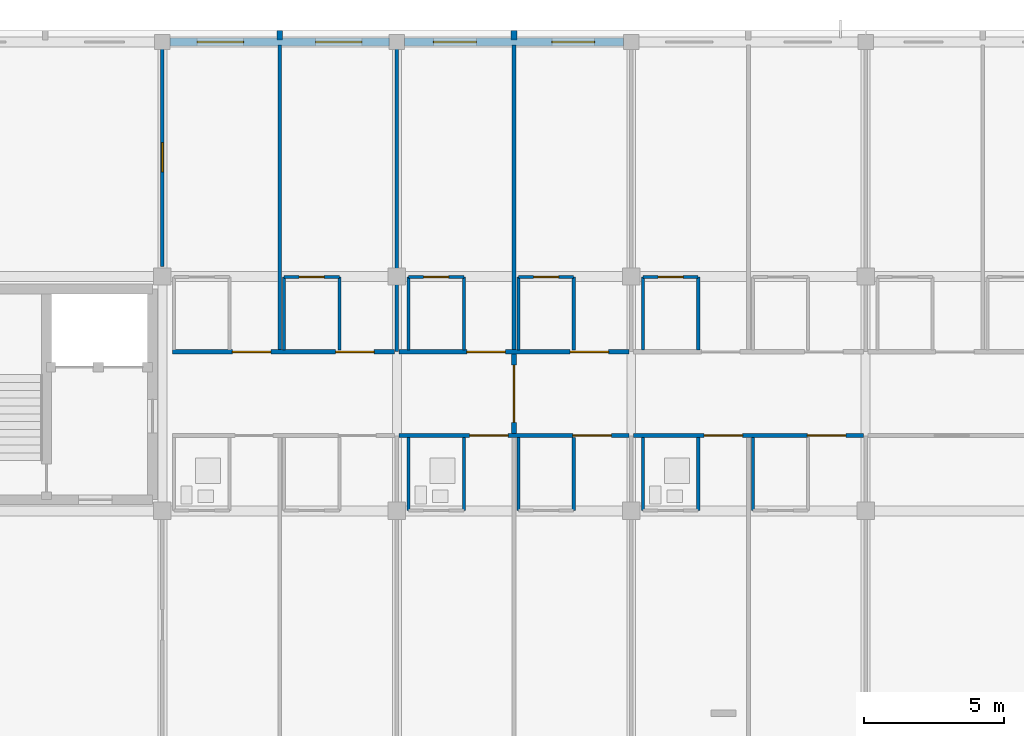
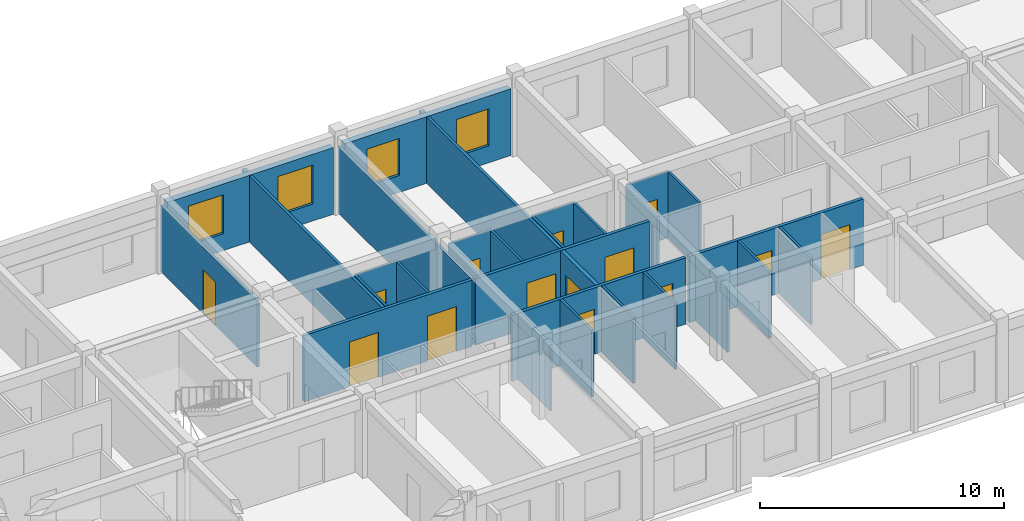
# One storey, part 9 of 21: 32 walls, 14 doors, 4 windows, 18 openings.
"""IFC4 building model written with IfcOpenShell, lengths in metres."""

import ifcopenshell
import ifcopenshell.guid

model = None  # the IFC model being written
_history = None  # IfcOwnerHistory: only IFC2X3 demands one
_inside = {}  # id of a spatial element -> (the spatial element, [elements in it])
_under = {}  # id of a project, library or spatial element -> (it, [spatial elements below it])
_declared = {}  # id of a project -> (the project, [libraries it declares])
_typed = {}  # id of a type object -> (the type object, [elements of that type])
_made_of = {}  # id of a material, layer set ... -> (it, [elements and type objects made of it])


def new_model(schema):
    """Start an empty IFC model of exactly this schema.

    Asked for "IFC4X3", IfcOpenShell would pick the latest addendum, in which some entities
    have other attributes; the version numbers below select the first issue.
    IFC2X3 requires an IfcOwnerHistory on every rooted entity: one is made here for all.
    """
    global model, _history
    if schema == "IFC4X3":
        model = ifcopenshell.file(schema_version=(4, 3, 0, 0))
    else:
        model = ifcopenshell.file(schema=schema)
    _inside.clear()
    _under.clear()
    _declared.clear()
    _typed.clear()
    _made_of.clear()
    _history = None
    if model.schema == "IFC2X3":
        org = make("IfcOrganization", Name="unknown")
        user = make(
            "IfcPersonAndOrganization",
            ThePerson=make("IfcPerson", FamilyName="unknown"),
            TheOrganization=org,
        )
        app = make(
            "IfcApplication",
            ApplicationDeveloper=org,
            Version="unknown",
            ApplicationFullName="unknown",
            ApplicationIdentifier="unknown",
        )
        _history = make(
            "IfcOwnerHistory",
            OwningUser=user,
            OwningApplication=app,
            ChangeAction="ADDED",
            CreationDate=0,
        )
    return model


def make(cls, **values):
    """One entity of the class cls with the attributes given. An attribute that is None is left unset."""
    return model.create_entity(
        cls, **{name: value for name, value in values.items() if value is not None}
    )


def rooted(cls, **values):
    """An entity with a GlobalId (a new one), such as an element, a storey or a relation."""
    return make(cls, GlobalId=ifcopenshell.guid.new(), OwnerHistory=_history, **values)


def si_unit(unit_type, name, prefix=None):
    """IfcSIUnit, for example si_unit("LENGTHUNIT", "METRE", prefix="MILLI")."""
    return make("IfcSIUnit", UnitType=unit_type, Prefix=prefix, Name=name)


def assignment(units):
    """IfcUnitAssignment: the units of a project."""
    return None if units is None else make("IfcUnitAssignment", Units=units)


def point(xyz):
    """IfcCartesianPoint."""
    return None if xyz is None else make("IfcCartesianPoint", Coordinates=xyz)


def direction(xyz):
    """IfcDirection."""
    return None if xyz is None else make("IfcDirection", DirectionRatios=xyz)


def frame(location, z_axis=None, x_axis=None):
    """IfcAxis2Placement3D, a coordinate frame: its origin and axes. An axis left out is left unset."""
    return make(
        "IfcAxis2Placement3D",
        Location=point(location),
        Axis=direction(z_axis),
        RefDirection=direction(x_axis),
    )


def frame_2d(location, x_axis=None):
    """IfcAxis2Placement2D, a coordinate frame in the plane: its origin and x axis."""
    return make(
        "IfcAxis2Placement2D", Location=point(location), RefDirection=direction(x_axis)
    )


def origin():
    """The frame at (0, 0, 0) with its axes left unset."""
    return frame((0.0, 0.0, 0.0))


def place(relative_to, where):
    """IfcLocalPlacement: puts the frame where relative to a parent placement (None: the world)."""
    return make(
        "IfcLocalPlacement", PlacementRelTo=relative_to, RelativePlacement=where
    )


def context(
    kind, dimensions, precision=None, world=None, true_north=None, identifier=None
):
    """IfcGeometricRepresentationContext, for example the 3D "Model" context."""
    return make(
        "IfcGeometricRepresentationContext",
        ContextIdentifier=identifier,
        ContextType=kind,
        CoordinateSpaceDimension=dimensions,
        Precision=precision,
        WorldCoordinateSystem=world,
        TrueNorth=true_north,
    )


def subcontext(parent, identifier, kind, view, scale=None):
    """IfcGeometricRepresentationSubContext, for example "Body" below "Model"."""
    return make(
        "IfcGeometricRepresentationSubContext",
        ContextIdentifier=identifier,
        ContextType=kind,
        ParentContext=parent,
        TargetScale=scale,
        TargetView=view,
    )


def project(units=None, contexts=None):
    """IfcProject with its units and contexts."""
    return rooted(
        "IfcProject",
        Name="project",
        RepresentationContexts=contexts,
        UnitsInContext=assignment(units),
    )


def spatial(cls, under=None, at=None, **own):
    """A site, building, storey or space (cls), placed at a placement, below another one or the project."""
    s = rooted(cls, ObjectPlacement=at, **own)
    if under is not None:
        _under.setdefault(under.id(), (under, []))[1].append(s)
    return s


def profile(cls, at=None, kind="AREA", **sizes):
    """A parametric profile (cls). Its sizes go by their IFC names, for example OverallWidth=200.0."""
    return make(cls, ProfileType=kind, Position=at, **sizes)


def rectangle(**sizes):
    """IfcRectangleProfileDef."""
    return profile("IfcRectangleProfileDef", **sizes)


def extrude(swept, where, along, depth):
    """IfcExtrudedAreaSolid: the profile swept, set in the frame where, extruded along a direction by depth."""
    return make(
        "IfcExtrudedAreaSolid",
        SweptArea=swept,
        Position=where,
        ExtrudedDirection=direction(along),
        Depth=depth,
    )


def shape(context_of_items, identifier, shape_type, items):
    """IfcShapeRepresentation: the items that make up one representation, for example the "Body"."""
    return make(
        "IfcShapeRepresentation",
        ContextOfItems=context_of_items,
        RepresentationIdentifier=identifier,
        RepresentationType=shape_type,
        Items=items,
    )


def material(Name=None, Category=None):
    """IfcMaterial."""
    return make("IfcMaterial", Name=Name, Category=Category)


def layer(
    of_material, thickness, ventilated=None, Name=None, Category=None, Priority=None
):
    """IfcMaterialLayer: one layer of a wall or slab, of a material (None: an air gap)."""
    return make(
        "IfcMaterialLayer",
        Material=of_material,
        LayerThickness=thickness,
        IsVentilated=ventilated,
        Name=Name,
        Category=Category,
        Priority=Priority,
    )


def layer_set(layers, Name=None):
    """IfcMaterialLayerSet."""
    return make("IfcMaterialLayerSet", MaterialLayers=layers, LayerSetName=Name)


def made_of(thing, what):
    """Note that an element or type object is made of a material, layer set ...; save() writes the relation."""
    if what is not None:
        _made_of.setdefault(what.id(), (what, []))[1].append(thing)
    return thing


def type_object(cls, material=None, **own):
    """A type object (cls), such as IfcWallType, which elements share."""
    return made_of(rooted(cls, **own), material)


def element(
    cls,
    number,
    at=None,
    inside=None,
    cuts=None,
    type_object=None,
    material=None,
    context=None,
    identifier="Body",
    shape_type=None,
    held_by="IfcProductDefinitionShape",
    body=None,
    shapes=None,
    **own,
):
    """One element of the class cls, such as IfcWall. Its Tag is "e" and its number.

    at: its placement. inside: the storey or other place that contains it. cuts: it is an
    opening in that element (IfcRelVoidsElement). A single representation is given by context,
    identifier, shape_type and body (its items); several are given by shapes. held_by: the class
    of the entity that holds the representations. save() writes the other relations.
    """
    e = rooted(cls, Tag="e%d" % number, ObjectPlacement=at, **own)
    if body is not None:
        shapes = [shape(context, identifier, shape_type, body)]
    if shapes is not None:
        e.Representation = make(held_by, Representations=shapes)
    if inside is not None:
        _inside.setdefault(inside.id(), (inside, []))[1].append(e)
    if cuts is not None:
        rooted(
            "IfcRelVoidsElement", RelatingBuildingElement=cuts, RelatedOpeningElement=e
        )
    if type_object is not None:
        _typed.setdefault(type_object.id(), (type_object, []))[1].append(e)
    return made_of(e, material)


def fill(opening, filler):
    """IfcRelFillsElement: the door or window that sits in an opening."""
    return rooted(
        "IfcRelFillsElement",
        RelatingOpeningElement=opening,
        RelatedBuildingElement=filler,
    )


def aggregate(whole, parts):
    """IfcRelAggregates: a whole, such as a stair, and the parts it consists of."""
    return rooted("IfcRelAggregates", RelatingObject=whole, RelatedObjects=parts)


def save(model, path):
    """Write the relations noted so far, then the file.

    IfcRelAggregates (storeys below a building ...), IfcRelContainedInSpatialStructure (elements
    in a storey), IfcRelDefinesByType, IfcRelAssociatesMaterial and IfcRelDeclares: one each for
    every whole, place, type object, material and project.
    """
    for whole, parts in _under.values():
        aggregate(whole, parts)
    for where, things in _inside.values():
        rooted(
            "IfcRelContainedInSpatialStructure",
            RelatedElements=things,
            RelatingStructure=where,
        )
    for kind, things in _typed.values():
        rooted("IfcRelDefinesByType", RelatedObjects=things, RelatingType=kind)
    for what, things in _made_of.values():
        rooted("IfcRelAssociatesMaterial", RelatedObjects=things, RelatingMaterial=what)
    for by, libraries in _declared.values():
        rooted("IfcRelDeclares", RelatingContext=by, RelatedDefinitions=libraries)
    model.write(path)


model = new_model("IFC4")

# Units and contexts
model_context = context("Model", 3, precision=1e-05, world=origin(), true_north=direction((0.0, 1.0)))
body_context = subcontext(model_context, "Body", "Model", "MODEL_VIEW")
ifc_project = project(units=[si_unit("LENGTHUNIT", "METRE"), si_unit("AREAUNIT", "SQUARE_METRE"), si_unit("VOLUMEUNIT", "CUBIC_METRE"), si_unit("PLANEANGLEUNIT", "RADIAN"), si_unit("MASSUNIT", "GRAM", prefix="KILO")], contexts=[model_context])

# Site, building, storey
site_placement = place(None, origin())
site = spatial("IfcSite", under=ifc_project, at=site_placement, CompositionType="ELEMENT")
building_placement = place(site_placement, origin())
building = spatial("IfcBuilding", under=site, at=building_placement, Name="Trelvath General Hospital", CompositionType="ELEMENT")
storey_placement = place(building_placement, frame((0.0, 0.0, 28.800048828125)))
storey = spatial("IfcBuildingStorey", under=building, at=storey_placement, Name="L07", CompositionType="ELEMENT", Elevation=28.800048828125)

# Walls
ifc_material_1 = material(Name="Precast concrete C40/50", Category="concrete")
ifc_layer_1 = layer(ifc_material_1, 0.199951171875)
ifc_layer_set_1 = layer_set([ifc_layer_1], Name="Precast concrete C40/50")
wall_type_1 = type_object("IfcWallType", Name="BriseSoleilRib 200", PredefinedType="ELEMENTEDWALL", material=ifc_layer_set_1)
for number, where, z_axis, x_axis, name in (
    (1, (54.60009765625, 117.675048828125, 0.0), (0.0, 0.0, 1.0), (0.0, 1.0, 0.0), "Precast Concrete Brise-Soleil Rib Fin L07-467"),
    (2, (63.0, 117.675048828125, 0.0), (0.0, 0.0, 1.0), (0.0, 1.0, 0.0), "Precast Concrete Brise-Soleil Rib Fin L07-469"),
):
    element("IfcWall", number, at=place(storey_placement, frame(where, z_axis=z_axis, x_axis=x_axis)), inside=storey, type_object=wall_type_1, Name=name, PredefinedType="ELEMENTEDWALL", context=body_context, shape_type="SweptSolid", body=[
        extrude(rectangle(XDim=0.33984375, YDim=0.199951171875, at=frame_2d((0.169921875, 0.0))), origin(), (0.0, 0.0, 1.0), 3.320068359375),
    ])

# Wall, openings, doors
ifc_material_2 = material(Name="Gypsum acoustic steel-stud partition", Category="steel")
ifc_layer_2 = layer(ifc_material_2, 0.14990234375)
ifc_layer_set_2 = layer_set([ifc_layer_2], Name="Gypsum acoustic steel-stud partition")
wall_type_2 = type_object("IfcWallType", Name="ClinicalPartition 150", PredefinedType="PARTITIONING", material=ifc_layer_set_2)
wall_1_placement = place(storey_placement, frame((58.719970703125, 106.5, 0.0), z_axis=(0.0, 0.0, 1.0), x_axis=(-1.0, 0.0, 0.0)))
wall_1 = element("IfcWall", 3, at=wall_1_placement, inside=storey, type_object=wall_type_2, Name="Corridor Partition N L07-2346", PredefinedType="PARTITIONING", context=body_context, shape_type="SweptSolid", body=[
    extrude(rectangle(XDim=7.9599609375, YDim=0.14990234375, at=frame_2d((3.97998046875, 0.0))), origin(), (0.0, 0.0, 1.0), 3.320068359375),
])
opening_1_placement = place(wall_1_placement, frame((0.72998046875, 0.0, 0.0)))
opening_1 = element("IfcOpeningElement", 4, at=opening_1_placement, cuts=wall_1, Name="Opening D-7-1469", PredefinedType="OPENING", context=body_context, shape_type="SweptSolid", body=[
    extrude(rectangle(XDim=1.3798828125, YDim=2.25, at=frame_2d((0.68994140625, 1.125))), frame((0.0, 0.0849609375, 0.0), z_axis=(0.0, -1.0, 0.0), x_axis=(1.0, 0.0, 0.0)), (0.0, 0.0, 1.0), 0.169921875),
])
opening_2_placement = place(wall_1_placement, frame((4.429931640625, 0.0, 0.0)))
opening_2 = element("IfcOpeningElement", 5, at=opening_2_placement, cuts=wall_1, Name="Opening D-7-1470", PredefinedType="OPENING", context=body_context, shape_type="SweptSolid", body=[
    extrude(rectangle(XDim=1.3798828125, YDim=2.25, at=frame_2d((0.68994140625, 1.125))), frame((0.0, 0.0849609375, 0.0), z_axis=(0.0, -1.0, 0.0), x_axis=(1.0, 0.0, 0.0)), (0.0, 0.0, 1.0), 0.169921875),
])
ifc_material_3 = material(Name="Wheelchair rehab ward door")
door_type_1 = type_object("IfcDoorType", Name="Door PatientRehab 1380x2250", OperationType="NOTDEFINED", PredefinedType="DOOR", material=ifc_material_3)
door_1_placement = place(opening_1_placement, origin())
door_1 = element("IfcDoor", 6, at=door_1_placement, inside=storey, type_object=door_type_1, Name="Patient Room Door N L07-1469", OperationType="SINGLE_SWING_RIGHT", OverallHeight=2.25, OverallWidth=1.3798828125, PredefinedType="DOOR", context=body_context, shape_type="SweptSolid", body=[
    extrude(rectangle(XDim=1.3798828125, YDim=2.25, at=frame_2d((0.68994140625, 1.125))), frame((0.0, 0.02490234375, 0.0), z_axis=(0.0, -1.0, 0.0), x_axis=(1.0, 0.0, 0.0)), (0.0, 0.0, 1.0), 0.050048828125),
])
fill(opening_1, door_1)
door_2_placement = place(opening_2_placement, origin())
door_2 = element("IfcDoor", 7, at=door_2_placement, inside=storey, type_object=door_type_1, Name="Patient Room Door N L07-1470", OperationType="SINGLE_SWING_RIGHT", OverallHeight=2.25, OverallWidth=1.3798828125, PredefinedType="DOOR", context=body_context, shape_type="SweptSolid", body=[
    extrude(rectangle(XDim=1.3798828125, YDim=2.25, at=frame_2d((0.68994140625, 1.125))), frame((0.0, 0.02490234375, 0.0), z_axis=(0.0, -1.0, 0.0), x_axis=(1.0, 0.0, 0.0)), (0.0, 0.0, 1.0), 0.050048828125),
])
fill(opening_2, door_2)

wall_2_placement = place(storey_placement, frame((58.8798828125, 103.5, 0.0), z_axis=(0.0, 0.0, 1.0), x_axis=(1.0, 0.0, 0.0)))
wall_2 = element("IfcWall", 8, at=wall_2_placement, inside=storey, type_object=wall_type_2, Name="Corridor Partition L07-2356", PredefinedType="PARTITIONING", context=body_context, shape_type="SweptSolid", body=[
    extrude(rectangle(XDim=8.240234375, YDim=0.14990234375, at=frame_2d((4.1201171875, 0.0))), origin(), (0.0, 0.0, 1.0), 3.320068359375),
])
opening_3_placement = place(wall_2_placement, frame((2.530029296875, 0.0, 0.0)))
opening_3 = element("IfcOpeningElement", 9, at=opening_3_placement, cuts=wall_2, Name="Opening D-7-1473", PredefinedType="OPENING", context=body_context, shape_type="SweptSolid", body=[
    extrude(rectangle(XDim=1.3798828125, YDim=2.25, at=frame_2d((0.68994140625, 1.125))), frame((0.0, 0.0849609375, 0.0), z_axis=(0.0, -1.0, 0.0), x_axis=(1.0, 0.0, 0.0)), (0.0, 0.0, 1.0), 0.169921875),
])
opening_4_placement = place(wall_2_placement, frame((6.22998046875, 0.0, 0.0)))
opening_4 = element("IfcOpeningElement", 10, at=opening_4_placement, cuts=wall_2, Name="Opening D-7-1474", PredefinedType="OPENING", context=body_context, shape_type="SweptSolid", body=[
    extrude(rectangle(XDim=1.3798828125, YDim=2.25, at=frame_2d((0.68994140625, 1.125))), frame((0.0, 0.0849609375, 0.0), z_axis=(0.0, -1.0, 0.0), x_axis=(1.0, 0.0, 0.0)), (0.0, 0.0, 1.0), 0.169921875),
])
door_3_placement = place(opening_3_placement, origin())
door_3 = element("IfcDoor", 11, at=door_3_placement, inside=storey, type_object=door_type_1, Name="Patient Room Door L07-1473", OperationType="SINGLE_SWING_LEFT", OverallHeight=2.25, OverallWidth=1.3798828125, PredefinedType="DOOR", context=body_context, shape_type="SweptSolid", body=[
    extrude(rectangle(XDim=1.3798828125, YDim=2.25, at=frame_2d((0.68994140625, 1.125))), frame((0.0, 0.02490234375, 0.0), z_axis=(0.0, -1.0, 0.0), x_axis=(1.0, 0.0, 0.0)), (0.0, 0.0, 1.0), 0.050048828125),
])
fill(opening_3, door_3)
door_4_placement = place(opening_4_placement, origin())
door_4 = element("IfcDoor", 12, at=door_4_placement, inside=storey, type_object=door_type_1, Name="Patient Room Door L07-1474", OperationType="SINGLE_SWING_RIGHT", OverallHeight=2.25, OverallWidth=1.3798828125, PredefinedType="DOOR", context=body_context, shape_type="SweptSolid", body=[
    extrude(rectangle(XDim=1.3798828125, YDim=2.25, at=frame_2d((0.68994140625, 1.125))), frame((0.0, 0.02490234375, 0.0), z_axis=(0.0, -1.0, 0.0), x_axis=(1.0, 0.0, 0.0)), (0.0, 0.0, 1.0), 0.050048828125),
])
fill(opening_4, door_4)

wall_3_placement = place(storey_placement, frame((67.1201171875, 106.5, 0.0), z_axis=(0.0, 0.0, 1.0), x_axis=(-1.0, 0.0, 0.0)))
wall_3 = element("IfcWall", 13, at=wall_3_placement, inside=storey, type_object=wall_type_2, Name="Corridor Partition N L07-2364", PredefinedType="PARTITIONING", context=body_context, shape_type="SweptSolid", body=[
    extrude(rectangle(XDim=8.240234375, YDim=0.14990234375, at=frame_2d((4.1201171875, 0.0))), origin(), (0.0, 0.0, 1.0), 3.320068359375),
])
opening_5_placement = place(wall_3_placement, frame((0.72998046875, 0.0, 0.0)))
opening_5 = element("IfcOpeningElement", 14, at=opening_5_placement, cuts=wall_3, Name="Opening D-7-1477", PredefinedType="OPENING", context=body_context, shape_type="SweptSolid", body=[
    extrude(rectangle(XDim=1.3798828125, YDim=2.25, at=frame_2d((0.68994140625, 1.125))), frame((0.0, 0.0849609375, 0.0), z_axis=(0.0, -1.0, 0.0), x_axis=(1.0, 0.0, 0.0)), (0.0, 0.0, 1.0), 0.169921875),
])
opening_6_placement = place(wall_3_placement, frame((4.429931640625, 0.0, 0.0)))
opening_6 = element("IfcOpeningElement", 15, at=opening_6_placement, cuts=wall_3, Name="Opening D-7-1478", PredefinedType="OPENING", context=body_context, shape_type="SweptSolid", body=[
    extrude(rectangle(XDim=1.3798828125, YDim=2.25, at=frame_2d((0.68994140625, 1.125))), frame((0.0, 0.0849609375, 0.0), z_axis=(0.0, -1.0, 0.0), x_axis=(1.0, 0.0, 0.0)), (0.0, 0.0, 1.0), 0.169921875),
])
door_5_placement = place(opening_5_placement, origin())
door_5 = element("IfcDoor", 16, at=door_5_placement, inside=storey, type_object=door_type_1, Name="Patient Room Door N L07-1477", OperationType="SINGLE_SWING_LEFT", OverallHeight=2.25, OverallWidth=1.3798828125, PredefinedType="DOOR", context=body_context, shape_type="SweptSolid", body=[
    extrude(rectangle(XDim=1.3798828125, YDim=2.25, at=frame_2d((0.68994140625, 1.125))), frame((0.0, 0.02490234375, 0.0), z_axis=(0.0, -1.0, 0.0), x_axis=(1.0, 0.0, 0.0)), (0.0, 0.0, 1.0), 0.050048828125),
])
fill(opening_5, door_5)
door_6_placement = place(opening_6_placement, origin())
door_6 = element("IfcDoor", 17, at=door_6_placement, inside=storey, type_object=door_type_1, Name="Patient Room Door N L07-1478", OperationType="SINGLE_SWING_LEFT", OverallHeight=2.25, OverallWidth=1.3798828125, PredefinedType="DOOR", context=body_context, shape_type="SweptSolid", body=[
    extrude(rectangle(XDim=1.3798828125, YDim=2.25, at=frame_2d((0.68994140625, 1.125))), frame((0.0, 0.02490234375, 0.0), z_axis=(0.0, -1.0, 0.0), x_axis=(1.0, 0.0, 0.0)), (0.0, 0.0, 1.0), 0.050048828125),
])
fill(opening_6, door_6)

wall_4_placement = place(storey_placement, frame((67.280029296875, 103.5, 0.0), z_axis=(0.0, 0.0, 1.0), x_axis=(1.0, 0.0, 0.0)))
wall_4 = element("IfcWall", 18, at=wall_4_placement, inside=storey, type_object=wall_type_2, Name="Corridor Partition L07-2375", PredefinedType="PARTITIONING", context=body_context, shape_type="SweptSolid", body=[
    extrude(rectangle(XDim=8.239990234375, YDim=0.14990234375, at=frame_2d((4.1201171875, 0.0))), origin(), (0.0, 0.0, 1.0), 3.320068359375),
])
opening_7_placement = place(wall_4_placement, frame((2.530029296875, 0.0, 0.0)))
opening_7 = element("IfcOpeningElement", 19, at=opening_7_placement, cuts=wall_4, Name="Opening D-7-1482", PredefinedType="OPENING", context=body_context, shape_type="SweptSolid", body=[
    extrude(rectangle(XDim=1.3798828125, YDim=2.25, at=frame_2d((0.68994140625, 1.125))), frame((0.0, 0.0849609375, 0.0), z_axis=(0.0, -1.0, 0.0), x_axis=(1.0, 0.0, 0.0)), (0.0, 0.0, 1.0), 0.169921875),
])
opening_8_placement = place(wall_4_placement, frame((6.22998046875, 0.0, 0.0)))
opening_8 = element("IfcOpeningElement", 20, at=opening_8_placement, cuts=wall_4, Name="Opening D-7-1483", PredefinedType="OPENING", context=body_context, shape_type="SweptSolid", body=[
    extrude(rectangle(XDim=1.3798828125, YDim=2.25, at=frame_2d((0.68994140625, 1.125))), frame((0.0, 0.0849609375, 0.0), z_axis=(0.0, -1.0, 0.0), x_axis=(1.0, 0.0, 0.0)), (0.0, 0.0, 1.0), 0.169921875),
])
door_7_placement = place(opening_7_placement, origin())
door_7 = element("IfcDoor", 21, at=door_7_placement, inside=storey, type_object=door_type_1, Name="Patient Room Door L07-1482", OperationType="SINGLE_SWING_RIGHT", OverallHeight=2.25, OverallWidth=1.3798828125, PredefinedType="DOOR", context=body_context, shape_type="SweptSolid", body=[
    extrude(rectangle(XDim=1.3798828125, YDim=2.25, at=frame_2d((0.68994140625, 1.125))), frame((0.0, 0.02490234375, 0.0), z_axis=(0.0, -1.0, 0.0), x_axis=(1.0, 0.0, 0.0)), (0.0, 0.0, 1.0), 0.050048828125),
])
fill(opening_7, door_7)
door_8_placement = place(opening_8_placement, origin())
door_8 = element("IfcDoor", 22, at=door_8_placement, inside=storey, type_object=door_type_1, Name="Patient Room Door L07-1483", OperationType="SINGLE_SWING_LEFT", OverallHeight=2.25, OverallWidth=1.3798828125, PredefinedType="DOOR", context=body_context, shape_type="SweptSolid", body=[
    extrude(rectangle(XDim=1.3798828125, YDim=2.25, at=frame_2d((0.68994140625, 1.125))), frame((0.0, 0.02490234375, 0.0), z_axis=(0.0, -1.0, 0.0), x_axis=(1.0, 0.0, 0.0)), (0.0, 0.0, 1.0), 0.050048828125),
])
fill(opening_8, door_8)

# Walls
ifc_material_4 = material(Name="Moisture-resistant tile partition")
ifc_layer_3 = layer(ifc_material_4, 0.110107421875)
ifc_layer_set_3 = layer_set([ifc_layer_3], Name="Moisture-resistant tile partition")
wall_type_3 = type_object("IfcWallType", Name="EnSuiteWetWall 110", PredefinedType="PARTITIONING", material=ifc_layer_set_3)
for number, where, z_axis, x_axis, name in (
    (23, (54.760009765625, 106.570068359375, 0.0), (0.0, 0.0, 1.0), (0.0, 1.0, 0.0), "En-Suite W Wall N L07-2351"),
    (24, (56.739990234375, 106.570068359375, 0.0), (0.0, 0.0, 1.0), (0.0, 1.0, 0.0), "En-Suite E Wall N L07-2352"),
):
    element("IfcWall", number, at=place(storey_placement, frame(where, z_axis=z_axis, x_axis=x_axis)), inside=storey, type_object=wall_type_3, Name=name, PredefinedType="PARTITIONING", context=body_context, shape_type="SweptSolid", body=[
        extrude(rectangle(XDim=2.60986328125, YDim=0.110107421875, at=frame_2d((1.304931640625, 0.0))), origin(), (0.0, 0.0, 1.0), 3.320068359375),
    ])

# Wall, opening, door
wall_5_placement = place(storey_placement, frame((54.760009765625, 109.179931640625, 0.0), z_axis=(0.0, 0.0, 1.0), x_axis=(1.0, 0.0, 0.0)))
wall_5 = element("IfcWall", 25, at=wall_5_placement, inside=storey, type_object=wall_type_3, Name="En-Suite Bathroom N Partition L07-2353", PredefinedType="PARTITIONING", context=body_context, shape_type="SweptSolid", body=[
    extrude(rectangle(XDim=1.97998046875, YDim=0.110107421875, at=frame_2d((0.989990234375, 0.0))), origin(), (0.0, 0.0, 1.0), 3.320068359375),
])
opening_9_placement = place(wall_5_placement, frame((0.5400390625, 0.0, 0.0)))
opening_9 = element("IfcOpeningElement", 26, at=opening_9_placement, cuts=wall_5, Name="Opening D-7-1472", PredefinedType="OPENING", context=body_context, shape_type="SweptSolid", body=[
    extrude(rectangle(XDim=0.89990234375, YDim=2.10009765625, at=frame_2d((0.449951171875, 1.050048828125))), frame((0.0, 0.06494140625, 0.0), z_axis=(0.0, -1.0, 0.0), x_axis=(1.0, 0.0, 0.0)), (0.0, 0.0, 1.0), 0.130126953125),
])
ifc_material_5 = material(Name="Moisture-sealed timber leaf", Category="wood")
door_type_2 = type_object("IfcDoorType", Name="Door EnSuite 900x2100", OperationType="NOTDEFINED", PredefinedType="DOOR", material=ifc_material_5)
door_9_placement = place(opening_9_placement, origin())
door_9 = element("IfcDoor", 27, at=door_9_placement, inside=storey, type_object=door_type_2, Name="En-Suite Bathroom N Door L07-1472", OperationType="SINGLE_SWING_RIGHT", OverallHeight=2.10009765625, OverallWidth=0.89990234375, PredefinedType="DOOR", context=body_context, shape_type="SweptSolid", body=[
    extrude(rectangle(XDim=0.89990234375, YDim=2.10009765625, at=frame_2d((0.449951171875, 1.050048828125))), frame((0.0, 0.02490234375, 0.0), z_axis=(0.0, -1.0, 0.0), x_axis=(1.0, 0.0, 0.0)), (0.0, 0.0, 1.0), 0.050048828125),
])
fill(opening_9, door_9)

# Walls
for number, where, z_axis, x_axis, name in (
    (28, (59.219970703125, 100.820068359375, 0.0), (0.0, 0.0, 1.0), (0.0, 1.0, 0.0), "En-Suite W Wall L07-2358"),
    (29, (61.199951171875, 100.820068359375, 0.0), (0.0, 0.0, 1.0), (0.0, 1.0, 0.0), "En-Suite E Wall L07-2359"),
    (30, (63.159912109375, 100.820068359375, 0.0), (0.0, 0.0, 1.0), (0.0, 1.0, 0.0), "En-Suite W Wall L07-2361"),
    (31, (65.139892578125, 100.820068359375, 0.0), (0.0, 0.0, 1.0), (0.0, 1.0, 0.0), "En-Suite E Wall L07-2362"),
    (32, (59.219970703125, 106.570068359375, 0.0), (0.0, 0.0, 1.0), (0.0, 1.0, 0.0), "En-Suite W Wall N L07-2366"),
    (33, (61.199951171875, 106.570068359375, 0.0), (0.0, 0.0, 1.0), (0.0, 1.0, 0.0), "En-Suite E Wall N L07-2367"),
):
    element("IfcWall", number, at=place(storey_placement, frame(where, z_axis=z_axis, x_axis=x_axis)), inside=storey, type_object=wall_type_3, Name=name, PredefinedType="PARTITIONING", context=body_context, shape_type="SweptSolid", body=[
        extrude(rectangle(XDim=2.60986328125, YDim=0.110107421875, at=frame_2d((1.304931640625, 0.0))), origin(), (0.0, 0.0, 1.0), 3.320068359375),
    ])

# Wall, opening, door
wall_6_placement = place(storey_placement, frame((59.219970703125, 109.179931640625, 0.0), z_axis=(0.0, 0.0, 1.0), x_axis=(1.0, 0.0, 0.0)))
wall_6 = element("IfcWall", 34, at=wall_6_placement, inside=storey, type_object=wall_type_3, Name="En-Suite Bathroom N Partition L07-2368", PredefinedType="PARTITIONING", context=body_context, shape_type="SweptSolid", body=[
    extrude(rectangle(XDim=1.97998046875, YDim=0.110107421875, at=frame_2d((0.989990234375, 0.0))), origin(), (0.0, 0.0, 1.0), 3.320068359375),
])
opening_10_placement = place(wall_6_placement, frame((0.5400390625, 0.0, 0.0)))
opening_10 = element("IfcOpeningElement", 35, at=opening_10_placement, cuts=wall_6, Name="Opening D-7-1479", PredefinedType="OPENING", context=body_context, shape_type="SweptSolid", body=[
    extrude(rectangle(XDim=0.89990234375, YDim=2.10009765625, at=frame_2d((0.449951171875, 1.050048828125))), frame((0.0, 0.06494140625, 0.0), z_axis=(0.0, -1.0, 0.0), x_axis=(1.0, 0.0, 0.0)), (0.0, 0.0, 1.0), 0.130126953125),
])
door_10_placement = place(opening_10_placement, origin())
door_10 = element("IfcDoor", 36, at=door_10_placement, inside=storey, type_object=door_type_2, Name="En-Suite Bathroom N Door L07-1479", OperationType="SINGLE_SWING_RIGHT", OverallHeight=2.10009765625, OverallWidth=0.89990234375, PredefinedType="DOOR", context=body_context, shape_type="SweptSolid", body=[
    extrude(rectangle(XDim=0.89990234375, YDim=2.10009765625, at=frame_2d((0.449951171875, 1.050048828125))), frame((0.0, 0.02490234375, 0.0), z_axis=(0.0, -1.0, 0.0), x_axis=(1.0, 0.0, 0.0)), (0.0, 0.0, 1.0), 0.050048828125),
])
fill(opening_10, door_10)

# Walls
for number, where, z_axis, x_axis, name in (
    (37, (63.159912109375, 106.570068359375, 0.0), (0.0, 0.0, 1.0), (0.0, 1.0, 0.0), "En-Suite W Wall N L07-2369"),
    (38, (65.139892578125, 106.570068359375, 0.0), (0.0, 0.0, 1.0), (0.0, 1.0, 0.0), "En-Suite E Wall N L07-2370"),
):
    element("IfcWall", number, at=place(storey_placement, frame(where, z_axis=z_axis, x_axis=x_axis)), inside=storey, type_object=wall_type_3, Name=name, PredefinedType="PARTITIONING", context=body_context, shape_type="SweptSolid", body=[
        extrude(rectangle(XDim=2.60986328125, YDim=0.110107421875, at=frame_2d((1.304931640625, 0.0))), origin(), (0.0, 0.0, 1.0), 3.320068359375),
    ])

# Wall, opening, door
wall_7_placement = place(storey_placement, frame((63.159912109375, 109.179931640625, 0.0), z_axis=(0.0, 0.0, 1.0), x_axis=(1.0, 0.0, 0.0)))
wall_7 = element("IfcWall", 39, at=wall_7_placement, inside=storey, type_object=wall_type_3, Name="En-Suite Bathroom N Partition L07-2371", PredefinedType="PARTITIONING", context=body_context, shape_type="SweptSolid", body=[
    extrude(rectangle(XDim=1.97998046875, YDim=0.110107421875, at=frame_2d((0.989990234375, 0.0))), origin(), (0.0, 0.0, 1.0), 3.320068359375),
])
opening_11_placement = place(wall_7_placement, frame((0.5400390625, 0.0, 0.0)))
opening_11 = element("IfcOpeningElement", 40, at=opening_11_placement, cuts=wall_7, Name="Opening D-7-1480", PredefinedType="OPENING", context=body_context, shape_type="SweptSolid", body=[
    extrude(rectangle(XDim=0.89990234375, YDim=2.10009765625, at=frame_2d((0.449951171875, 1.050048828125))), frame((0.0, 0.06494140625, 0.0), z_axis=(0.0, -1.0, 0.0), x_axis=(1.0, 0.0, 0.0)), (0.0, 0.0, 1.0), 0.130126953125),
])
door_11_placement = place(opening_11_placement, origin())
door_11 = element("IfcDoor", 41, at=door_11_placement, inside=storey, type_object=door_type_2, Name="En-Suite Bathroom N Door L07-1480", OperationType="SINGLE_SWING_LEFT", OverallHeight=2.10009765625, OverallWidth=0.89990234375, PredefinedType="DOOR", context=body_context, shape_type="SweptSolid", body=[
    extrude(rectangle(XDim=0.89990234375, YDim=2.10009765625, at=frame_2d((0.449951171875, 1.050048828125))), frame((0.0, 0.02490234375, 0.0), z_axis=(0.0, -1.0, 0.0), x_axis=(1.0, 0.0, 0.0)), (0.0, 0.0, 1.0), 0.050048828125),
])
fill(opening_11, door_11)

# Walls
for number, where, z_axis, x_axis, name in (
    (42, (67.6201171875, 100.820068359375, 0.0), (0.0, 0.0, 1.0), (0.0, 1.0, 0.0), "En-Suite W Wall L07-2377"),
    (43, (69.60009765625, 100.820068359375, 0.0), (0.0, 0.0, 1.0), (0.0, 1.0, 0.0), "En-Suite E Wall L07-2378"),
    (44, (71.56005859375, 100.820068359375, 0.0), (0.0, 0.0, 1.0), (0.0, 1.0, 0.0), "En-Suite W Wall L07-2380"),
    (45, (67.6201171875, 106.570068359375, 0.0), (0.0, 0.0, 1.0), (0.0, 1.0, 0.0), "En-Suite W Wall N L07-2386"),
    (46, (69.60009765625, 106.570068359375, 0.0), (0.0, 0.0, 1.0), (0.0, 1.0, 0.0), "En-Suite E Wall N L07-2387"),
):
    element("IfcWall", number, at=place(storey_placement, frame(where, z_axis=z_axis, x_axis=x_axis)), inside=storey, type_object=wall_type_3, Name=name, PredefinedType="PARTITIONING", context=body_context, shape_type="SweptSolid", body=[
        extrude(rectangle(XDim=2.60986328125, YDim=0.110107421875, at=frame_2d((1.304931640625, 0.0))), origin(), (0.0, 0.0, 1.0), 3.320068359375),
    ])

# Wall, opening, door
wall_8_placement = place(storey_placement, frame((67.6201171875, 109.179931640625, 0.0), z_axis=(0.0, 0.0, 1.0), x_axis=(1.0, 0.0, 0.0)))
wall_8 = element("IfcWall", 47, at=wall_8_placement, inside=storey, type_object=wall_type_3, Name="En-Suite Bathroom N Partition L07-2388", PredefinedType="PARTITIONING", context=body_context, shape_type="SweptSolid", body=[
    extrude(rectangle(XDim=1.97998046875, YDim=0.110107421875, at=frame_2d((0.989990234375, 0.0))), origin(), (0.0, 0.0, 1.0), 3.320068359375),
])
opening_12_placement = place(wall_8_placement, frame((0.5400390625, 0.0, 0.0)))
opening_12 = element("IfcOpeningElement", 48, at=opening_12_placement, cuts=wall_8, Name="Opening D-7-1488", PredefinedType="OPENING", context=body_context, shape_type="SweptSolid", body=[
    extrude(rectangle(XDim=0.89990234375, YDim=2.10009765625, at=frame_2d((0.449951171875, 1.050048828125))), frame((0.0, 0.06494140625, 0.0), z_axis=(0.0, -1.0, 0.0), x_axis=(1.0, 0.0, 0.0)), (0.0, 0.0, 1.0), 0.130126953125),
])
door_12_placement = place(opening_12_placement, origin())
door_12 = element("IfcDoor", 49, at=door_12_placement, inside=storey, type_object=door_type_2, Name="En-Suite Bathroom N Door L07-1488", OperationType="SINGLE_SWING_LEFT", OverallHeight=2.10009765625, OverallWidth=0.89990234375, PredefinedType="DOOR", context=body_context, shape_type="SweptSolid", body=[
    extrude(rectangle(XDim=0.89990234375, YDim=2.10009765625, at=frame_2d((0.449951171875, 1.050048828125))), frame((0.0, 0.02490234375, 0.0), z_axis=(0.0, -1.0, 0.0), x_axis=(1.0, 0.0, 0.0)), (0.0, 0.0, 1.0), 0.050048828125),
])
fill(opening_12, door_12)

# Wall, openings, windows
ifc_material_6 = material(Name="Concrete C35/45", Category="concrete")
ifc_layer_4 = layer(ifc_material_6, 0.2900390625)
ifc_layer_set_4 = layer_set([ifc_layer_4], Name="Concrete C35/45")
wall_type_4 = type_object("IfcWallType", Name="ExtBushHammeredWall 290", PredefinedType="SOLIDWALL", material=ifc_layer_set_4)
wall_9_placement = place(storey_placement, frame((50.669921875, 117.60009765625, 0.0), z_axis=(0.0, 0.0, 1.0), x_axis=(1.0, 0.0, 0.0)))
wall_9 = element("IfcWall", 50, at=wall_9_placement, inside=storey, type_object=wall_type_4, Name="Exterior Concrete Wall L07-616", PredefinedType="SOLIDWALL", context=body_context, shape_type="SweptSolid", body=[
    extrude(rectangle(XDim=7.860107421875, YDim=0.2900390625, at=frame_2d((3.93017578125, 0.0))), origin(), (0.0, 0.0, 1.0), 3.33984375),
])
opening_13_placement = place(wall_9_placement, frame((0.977783203125, 0.0, 0.85009765625)))
opening_13 = element("IfcOpeningElement", 51, at=opening_13_placement, cuts=wall_9, Name="Opening WN-7-1039", PredefinedType="OPENING", context=body_context, shape_type="SweptSolid", body=[
    extrude(rectangle(XDim=1.659912109375, YDim=1.949951171875, at=frame_2d((0.830078125, 0.97509765625))), frame((0.0, 0.155029296875, 0.0), z_axis=(0.0, -1.0, 0.0), x_axis=(1.0, 0.0, 0.0)), (0.0, 0.0, 1.0), 0.31005859375),
])
opening_14_placement = place(wall_9_placement, frame((5.22216796875, 0.0, 0.85009765625)))
opening_14 = element("IfcOpeningElement", 52, at=opening_14_placement, cuts=wall_9, Name="Opening WN-7-1040", PredefinedType="OPENING", context=body_context, shape_type="SweptSolid", body=[
    extrude(rectangle(XDim=1.659912109375, YDim=1.949951171875, at=frame_2d((0.830078125, 0.97509765625))), frame((0.0, 0.155029296875, 0.0), z_axis=(0.0, -1.0, 0.0), x_axis=(1.0, 0.0, 0.0)), (0.0, 0.0, 1.0), 0.31005859375),
])
ifc_material_7 = material(Name="Low-E laminated glass", Category="glass")
window_type_1 = type_object("IfcWindowType", Name="Window Dayroom 1660x1950", PartitioningType="DOUBLE_PANEL_VERTICAL", PredefinedType="WINDOW", material=ifc_material_7)
window_1_placement = place(opening_13_placement, origin())
window_1 = element("IfcWindow", 53, at=window_1_placement, inside=storey, type_object=window_type_1, Name="Solar Reveal Window L07-1039", OverallHeight=1.949951171875, OverallWidth=1.659912109375, PartitioningType="SINGLE_PANEL", PredefinedType="WINDOW", context=body_context, shape_type="SweptSolid", body=[
    extrude(rectangle(XDim=1.659912109375, YDim=1.949951171875, at=frame_2d((0.830078125, 0.97509765625))), frame((0.0, 0.030029296875, 0.0), z_axis=(0.0, -1.0, 0.0), x_axis=(1.0, 0.0, 0.0)), (0.0, 0.0, 1.0), 0.06005859375),
])
fill(opening_13, window_1)
window_2_placement = place(opening_14_placement, origin())
window_2 = element("IfcWindow", 54, at=window_2_placement, inside=storey, type_object=window_type_1, Name="Solar Reveal Window L07-1040", OverallHeight=1.949951171875, OverallWidth=1.659912109375, PartitioningType="SINGLE_PANEL", PredefinedType="WINDOW", context=body_context, shape_type="SweptSolid", body=[
    extrude(rectangle(XDim=1.659912109375, YDim=1.949951171875, at=frame_2d((0.830078125, 0.97509765625))), frame((0.0, 0.030029296875, 0.0), z_axis=(0.0, -1.0, 0.0), x_axis=(1.0, 0.0, 0.0)), (0.0, 0.0, 1.0), 0.06005859375),
])
fill(opening_14, window_2)

wall_10_placement = place(storey_placement, frame((59.070068359375, 117.60009765625, 0.0), z_axis=(0.0, 0.0, 1.0), x_axis=(1.0, 0.0, 0.0)))
wall_10 = element("IfcWall", 55, at=wall_10_placement, inside=storey, type_object=wall_type_4, Name="Exterior Concrete Wall L07-618", PredefinedType="SOLIDWALL", context=body_context, shape_type="SweptSolid", body=[
    extrude(rectangle(XDim=7.85986328125, YDim=0.2900390625, at=frame_2d((3.929931640625, 0.0))), origin(), (0.0, 0.0, 1.0), 3.33984375),
])
opening_15_placement = place(wall_10_placement, frame((1.037841796875, 0.0, 0.85009765625)))
opening_15 = element("IfcOpeningElement", 56, at=opening_15_placement, cuts=wall_10, Name="Opening WN-7-1043", PredefinedType="OPENING", context=body_context, shape_type="SweptSolid", body=[
    extrude(rectangle(XDim=1.5400390625, YDim=1.85009765625, at=frame_2d((0.77001953125, 0.925048828125))), frame((0.0, 0.155029296875, 0.0), z_axis=(0.0, -1.0, 0.0), x_axis=(1.0, 0.0, 0.0)), (0.0, 0.0, 1.0), 0.31005859375),
])
opening_16_placement = place(wall_10_placement, frame((5.2822265625, 0.0, 0.85009765625)))
opening_16 = element("IfcOpeningElement", 57, at=opening_16_placement, cuts=wall_10, Name="Opening WN-7-1044", PredefinedType="OPENING", context=body_context, shape_type="SweptSolid", body=[
    extrude(rectangle(XDim=1.5400390625, YDim=1.85009765625, at=frame_2d((0.77001953125, 0.925048828125))), frame((0.0, 0.155029296875, 0.0), z_axis=(0.0, -1.0, 0.0), x_axis=(1.0, 0.0, 0.0)), (0.0, 0.0, 1.0), 0.31005859375),
])
ifc_material_8 = material(Name="Low-E laminated glass", Category="glass")
window_type_2 = type_object("IfcWindowType", Name="Window Waiting 1540x1850", PartitioningType="DOUBLE_PANEL_VERTICAL", PredefinedType="WINDOW", material=ifc_material_8)
window_3_placement = place(opening_15_placement, origin())
window_3 = element("IfcWindow", 58, at=window_3_placement, inside=storey, type_object=window_type_2, Name="Solar Reveal Window L07-1043", OverallHeight=1.85009765625, OverallWidth=1.5400390625, PartitioningType="SINGLE_PANEL", PredefinedType="WINDOW", context=body_context, shape_type="SweptSolid", body=[
    extrude(rectangle(XDim=1.5400390625, YDim=1.85009765625, at=frame_2d((0.77001953125, 0.925048828125))), frame((0.0, 0.030029296875, 0.0), z_axis=(0.0, -1.0, 0.0), x_axis=(1.0, 0.0, 0.0)), (0.0, 0.0, 1.0), 0.06005859375),
])
fill(opening_15, window_3)
window_4_placement = place(opening_16_placement, origin())
window_4 = element("IfcWindow", 59, at=window_4_placement, inside=storey, type_object=window_type_2, Name="Solar Reveal Window L07-1044", OverallHeight=1.85009765625, OverallWidth=1.5400390625, PartitioningType="SINGLE_PANEL", PredefinedType="WINDOW", context=body_context, shape_type="SweptSolid", body=[
    extrude(rectangle(XDim=1.5400390625, YDim=1.85009765625, at=frame_2d((0.77001953125, 0.925048828125))), frame((0.0, 0.030029296875, 0.0), z_axis=(0.0, -1.0, 0.0), x_axis=(1.0, 0.0, 0.0)), (0.0, 0.0, 1.0), 0.06005859375),
])
fill(opening_16, window_4)

# Wall, opening, door
ifc_material_9 = material(Name="Masonry fire blockwork", Category="masonry")
ifc_layer_5 = layer(ifc_material_9, 0.179931640625)
ifc_layer_set_5 = layer_set([ifc_layer_5], Name="Masonry fire blockwork")
wall_type_5 = type_object("IfcWallType", Name="SmokeBarrierWall 180", PredefinedType="PARTITIONING", material=ifc_layer_set_5)
wall_11_placement = place(storey_placement, frame((63.0, 103.580078125, 0.0), z_axis=(0.0, 0.0, 1.0), x_axis=(0.0, 1.0, 0.0)))
wall_11 = element("IfcWall", 60, at=wall_11_placement, inside=storey, type_object=wall_type_5, Name="Smoke Compartment Barrier L07-2372", PredefinedType="PARTITIONING", context=body_context, shape_type="SweptSolid", body=[
    extrude(rectangle(XDim=2.83984375, YDim=0.179931640625, at=frame_2d((1.419921875, 0.0))), origin(), (0.0, 0.0, 1.0), 3.320068359375),
])
opening_17_placement = place(wall_11_placement, frame((0.39501953125, 0.0, 0.0)))
opening_17 = element("IfcOpeningElement", 61, at=opening_17_placement, cuts=wall_11, Name="Opening SD-7-1481", PredefinedType="OPENING", context=body_context, shape_type="SweptSolid", body=[
    extrude(rectangle(XDim=2.050048828125, YDim=2.35009765625, at=frame_2d((1.02490234375, 1.175048828125))), frame((0.0, 0.099853515625, 0.0), z_axis=(0.0, -1.0, 0.0), x_axis=(1.0, 0.0, 0.0)), (0.0, 0.0, 1.0), 0.199951171875),
])
ifc_material_10 = material(Name="Fire-rated steel cross-corridor pair", Category="steel")
door_type_3 = type_object("IfcDoorType", Name="Door SmokeCross 2050x2350", OperationType="DOUBLE_SWING_LEFT", PredefinedType="DOOR", material=ifc_material_10)
door_13_placement = place(opening_17_placement, origin())
door_13 = element("IfcDoor", 62, at=door_13_placement, inside=storey, type_object=door_type_3, Name="Cross-Corridor Smoke Door L07-1481", OperationType="SLIDING_TO_LEFT", OverallHeight=2.35009765625, OverallWidth=2.050048828125, PredefinedType="DOOR", context=body_context, shape_type="SweptSolid", body=[
    extrude(rectangle(XDim=2.050048828125, YDim=2.35009765625, at=frame_2d((1.02490234375, 1.175048828125))), frame((0.0, 0.02490234375, 0.0), z_axis=(0.0, -1.0, 0.0), x_axis=(1.0, 0.0, 0.0)), (0.0, 0.0, 1.0), 0.050048828125),
])
fill(opening_17, door_13)

ifc_material_11 = material(Name="Gypsum acoustic steel-stud partition", Category="steel")
ifc_layer_6 = layer(ifc_material_11, 0.1298828125)
ifc_layer_set_6 = layer_set([ifc_layer_6], Name="Gypsum acoustic steel-stud partition")
wall_type_6 = type_object("IfcWallType", Name="WardPartition 130", PredefinedType="PARTITIONING", material=ifc_layer_set_6)
wall_12_placement = place(storey_placement, frame((50.39990234375, 109.550048828125, 0.0), z_axis=(0.0, 0.0, 1.0), x_axis=(0.0, 1.0, 0.0)))
wall_12 = element("IfcWall", 63, at=wall_12_placement, inside=storey, type_object=wall_type_6, Name="Inter-Bay Ward Partition N L07-2337", PredefinedType="PARTITIONING", context=body_context, shape_type="SweptSolid", body=[
    extrude(rectangle(XDim=7.909912109375, YDim=0.1298828125, at=frame_2d((3.955078125, 0.0))), origin(), (0.0, 0.0, 1.0), 3.320068359375),
])
opening_18_placement = place(wall_12_placement, frame((3.39990234375, 0.0, 0.0)))
opening_18 = element("IfcOpeningElement", 64, at=opening_18_placement, cuts=wall_12, Name="Opening D-7-1464", PredefinedType="OPENING", context=body_context, shape_type="SweptSolid", body=[
    extrude(rectangle(XDim=1.050048828125, YDim=2.199951171875, at=frame_2d((0.52490234375, 1.10009765625))), frame((0.0, 0.074951171875, 0.0), z_axis=(0.0, -1.0, 0.0), x_axis=(1.0, 0.0, 0.0)), (0.0, 0.0, 1.0), 0.14990234375),
])
ifc_material_12 = material(Name="Acoustic hospital timber leaf", Category="wood")
door_type_4 = type_object("IfcDoorType", Name="Door Consult 1050x2200", OperationType="NOTDEFINED", PredefinedType="DOOR", material=ifc_material_12)
door_14_placement = place(opening_18_placement, origin())
door_14 = element("IfcDoor", 65, at=door_14_placement, inside=storey, type_object=door_type_4, Name="Consultation Connecting Door L07-1464", OperationType="SINGLE_SWING_LEFT", OverallHeight=2.199951171875, OverallWidth=1.050048828125, PredefinedType="DOOR", context=body_context, shape_type="SweptSolid", body=[
    extrude(rectangle(XDim=1.050048828125, YDim=2.199951171875, at=frame_2d((0.52490234375, 1.10009765625))), frame((0.0, 0.02490234375, 0.0), z_axis=(0.0, -1.0, 0.0), x_axis=(1.0, 0.0, 0.0)), (0.0, 0.0, 1.0), 0.050048828125),
])
fill(opening_18, door_14)

# Walls
wall_13_placement = place(storey_placement, frame((54.60009765625, 106.570068359375, 0.0), z_axis=(0.0, 0.0, 1.0), x_axis=(0.0, 1.0, 0.0)))
element("IfcWall", 66, at=wall_13_placement, inside=storey, type_object=wall_type_6, Name="Room Dividing Partition N L07-2347", PredefinedType="PARTITIONING", context=body_context, shape_type="SweptSolid", body=[
    extrude(rectangle(XDim=10.929931640625, YDim=0.1298828125, at=frame_2d((5.46484375, 0.0))), origin(), (0.0, 0.0, 1.0), 3.320068359375),
])
wall_14_placement = place(storey_placement, frame((58.800048828125, 106.52001953125, 0.0), z_axis=(0.0, 0.0, 1.0), x_axis=(0.0, 1.0, 0.0)))
element("IfcWall", 67, at=wall_14_placement, inside=storey, type_object=wall_type_6, Name="Inter-Bay Ward Partition N L07-2355", PredefinedType="PARTITIONING", context=body_context, shape_type="SweptSolid", body=[
    extrude(rectangle(XDim=10.93994140625, YDim=0.1298828125, at=frame_2d((5.469970703125, 0.0))), origin(), (0.0, 0.0, 1.0), 3.320068359375),
])
wall_15_placement = place(storey_placement, frame((63.0, 106.570068359375, 0.0), z_axis=(0.0, 0.0, 1.0), x_axis=(0.0, 1.0, 0.0)))
element("IfcWall", 68, at=wall_15_placement, inside=storey, type_object=wall_type_6, Name="Room Dividing Partition N L07-2365", PredefinedType="PARTITIONING", context=body_context, shape_type="SweptSolid", body=[
    extrude(rectangle(XDim=10.929931640625, YDim=0.1298828125, at=frame_2d((5.46484375, 0.0))), origin(), (0.0, 0.0, 1.0), 3.320068359375),
])

save(model, "model.ifc")
